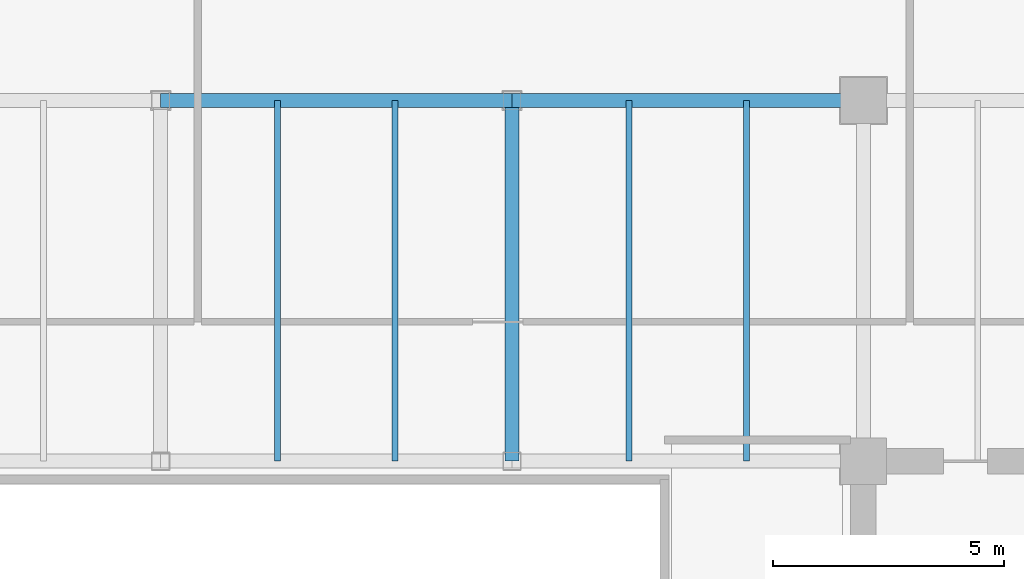
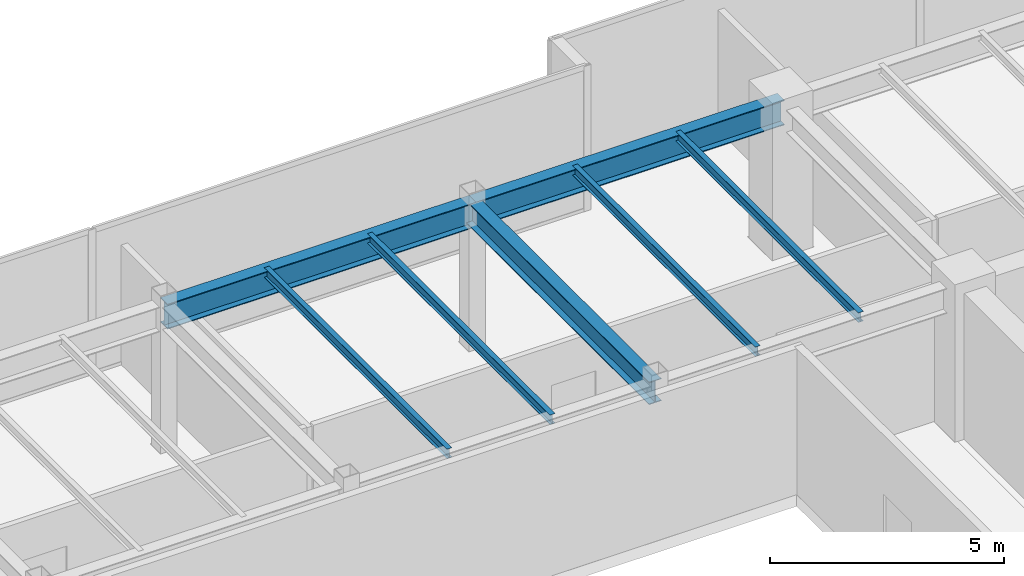
# One storey, part 18 of 36: 7 beams.
"""IFC4 building model written with IfcOpenShell, lengths in metres."""

from ifc_helpers import new_model, si_unit, direction, frame, origin, origin_2d, place, context, subcontext, project, spatial, i_section, extrude, source, transform, mapped, material, material_profile, profile_set, type_object, type_shapes, element, save


model = new_model("IFC4")

# Units and contexts
model_context = context("Model", 3, precision=1e-05, world=origin(), true_north=direction((0.0, 1.0)))
body_context = subcontext(model_context, "Body", "Model", "MODEL_VIEW")
ifc_project = project(units=[si_unit("LENGTHUNIT", "METRE"), si_unit("AREAUNIT", "SQUARE_METRE"), si_unit("VOLUMEUNIT", "CUBIC_METRE"), si_unit("PLANEANGLEUNIT", "RADIAN"), si_unit("MASSUNIT", "GRAM", prefix="KILO")], contexts=[model_context])

# Site, building, storey
site_placement = place(None, origin())
site = spatial("IfcSite", under=ifc_project, at=site_placement, CompositionType="ELEMENT")
building_placement = place(site_placement, origin())
building = spatial("IfcBuilding", under=site, at=building_placement, Name="Haelvirn Gate Laboratories", CompositionType="ELEMENT")
storey_placement = place(building_placement, frame((0.0, 0.0, 254.699951171875)))
storey = spatial("IfcBuildingStorey", under=building, at=storey_placement, Name="L61", CompositionType="ELEMENT", Elevation=254.699951171875)

# Beams
ifc_material = material(Name="Steel SM355", Category="steel")
ifc_material_profile_1 = material_profile(ifc_material, i_section(OverallWidth=0.300048828125, OverallDepth=0.587890625, WebThickness=0.011962890625, FlangeThickness=0.02001953125, at=origin_2d()), Name="H-588x300x12x20")
ifc_profile_set_1 = profile_set([ifc_material_profile_1], Name="Steel SM355")
beam_type_1 = type_object("IfcBeamType", Name="BM-G-588", PredefinedType="BEAM", material=ifc_profile_set_1)
shared_shape_1 = source(origin(), body_context, "Body", "SweptSolid", [
    extrude(i_section(OverallWidth=0.300048828125, OverallDepth=0.587890625, WebThickness=0.011962890625, FlangeThickness=0.02001953125, at=origin_2d()), origin(), (0.0, 0.0, 1.0), 7.800048828125),
])
type_shapes(beam_type_1, [shared_shape_1])
beam_placement = place(storey_placement, frame((45.0, 33.800048828125, 3.506103515625), z_axis=(0.0, 1.0, 0.0), x_axis=(-1.0, 0.0, 0.0)))
element("IfcBeam", 1, at=beam_placement, inside=storey, type_object=beam_type_1, Name="L61 Frame Girder X45.0 (33.8-41.6)", PredefinedType="BEAM", context=body_context, shape_type="MappedRepresentation", body=[
    mapped(shared_shape_1, transform((0.0, 0.0, 0.0), scale=1.0)),
])
ifc_material_profile_2 = material_profile(ifc_material, i_section(OverallWidth=0.300048828125, OverallDepth=0.64990234375, WebThickness=0.012939453125, FlangeThickness=0.02197265625, at=origin_2d()), Name="H-650x300x13x22")
ifc_profile_set_2 = profile_set([ifc_material_profile_2], Name="Steel SM355")
beam_type_2 = type_object("IfcBeamType", Name="BM-G-650", PredefinedType="BEAM", material=ifc_profile_set_2)
shared_shape_2 = source(origin(), body_context, "Body", "SweptSolid", [
    extrude(i_section(OverallWidth=0.300048828125, OverallDepth=0.64990234375, WebThickness=0.012939453125, FlangeThickness=0.02197265625, at=origin_2d()), origin(), (0.0, 0.0, 1.0), 7.60009765625),
])
type_shapes(beam_type_2, [shared_shape_2])
for number, where, z_axis, x_axis, name in (
    (2, (37.39990234375, 41.60009765625, 3.47509765625), (1.0, 0.0, 0.0), (0.0, 1.0, 0.0), "L61 Primary Girder Y41.6 (37.4-45.0)"),
    (3, (45.0, 41.60009765625, 3.47509765625), (1.0, 0.0, 0.0), (0.0, 1.0, 0.0), "L61 Primary Girder Y41.6 (45.0-52.6)"),
):
    element("IfcBeam", number, at=place(storey_placement, frame(where, z_axis=z_axis, x_axis=x_axis)), inside=storey, type_object=beam_type_2, Name=name, PredefinedType="BEAM", context=body_context, shape_type="MappedRepresentation", body=[
        mapped(shared_shape_2, transform((0.0, 0.0, 0.0), scale=1.0)),
    ])
ifc_material_profile_3 = material_profile(ifc_material, i_section(OverallWidth=0.125, OverallDepth=0.25, WebThickness=0.006103515625, FlangeThickness=0.009033203125, at=origin_2d()), Name="H-250x125x6x9")
ifc_profile_set_3 = profile_set([ifc_material_profile_3], Name="Steel SM355")
beam_type_3 = type_object("IfcBeamType", Name="BM-J-250", PredefinedType="JOIST", material=ifc_profile_set_3)
shared_shape_3 = source(origin(), body_context, "Body", "SweptSolid", [
    extrude(i_section(OverallWidth=0.125, OverallDepth=0.25, WebThickness=0.006103515625, FlangeThickness=0.009033203125, at=origin_2d()), origin(), (0.0, 0.0, 1.0), 7.800048828125),
])
type_shapes(beam_type_3, [shared_shape_3])
for number, where, z_axis, x_axis, name in (
    (4, (39.929931640625, 33.800048828125, 3.675048828125), (0.0, 1.0, 0.0), (-1.0, 0.0, 0.0), "L61 Composite Lab Joist North X39.93"),
    (5, (42.469970703125, 33.800048828125, 3.675048828125), (0.0, 1.0, 0.0), (-1.0, 0.0, 0.0), "L61 Composite Lab Joist North X42.47"),
    (6, (47.530029296875, 33.800048828125, 3.675048828125), (0.0, 1.0, 0.0), (-1.0, 0.0, 0.0), "L61 Composite Lab Joist North X47.53"),
    (7, (50.070068359375, 33.800048828125, 3.675048828125), (0.0, 1.0, 0.0), (-1.0, 0.0, 0.0), "L61 Composite Lab Joist North X50.07"),
):
    element("IfcBeam", number, at=place(storey_placement, frame(where, z_axis=z_axis, x_axis=x_axis)), inside=storey, type_object=beam_type_3, Name=name, PredefinedType="JOIST", context=body_context, shape_type="MappedRepresentation", body=[
        mapped(shared_shape_3, transform((0.0, 0.0, 0.0), scale=1.0)),
    ])

save(model, "model.ifc")
